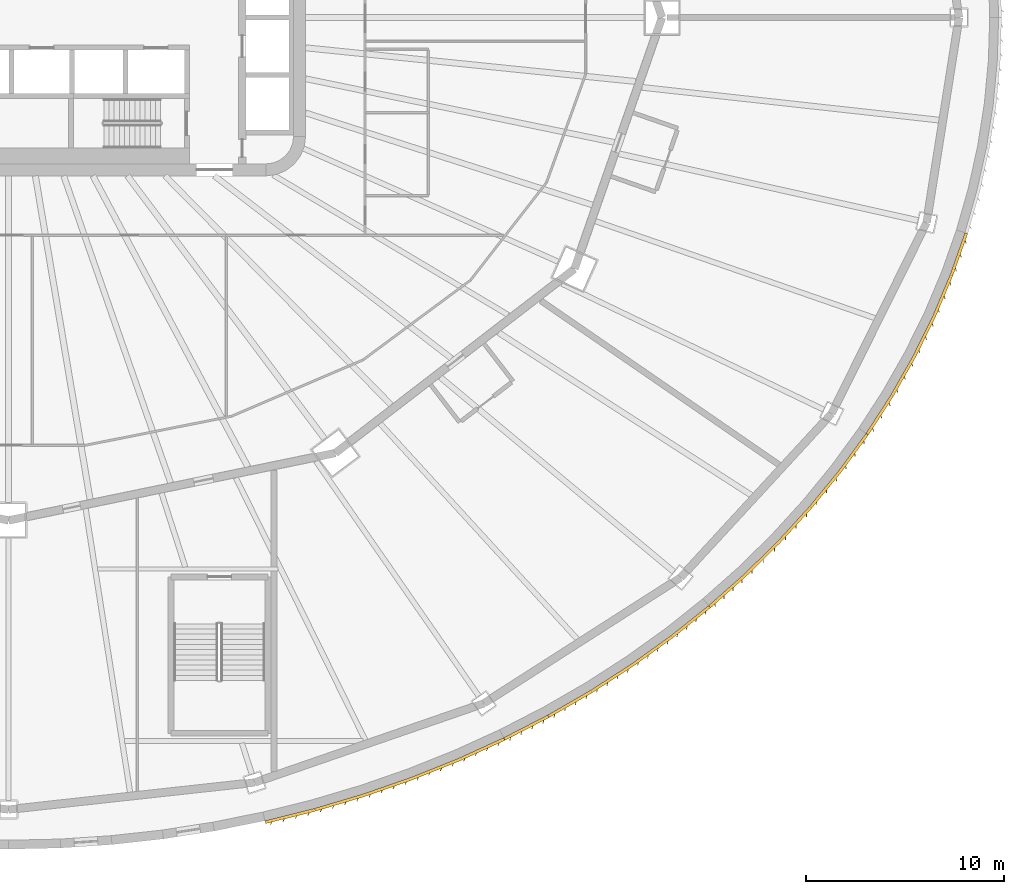
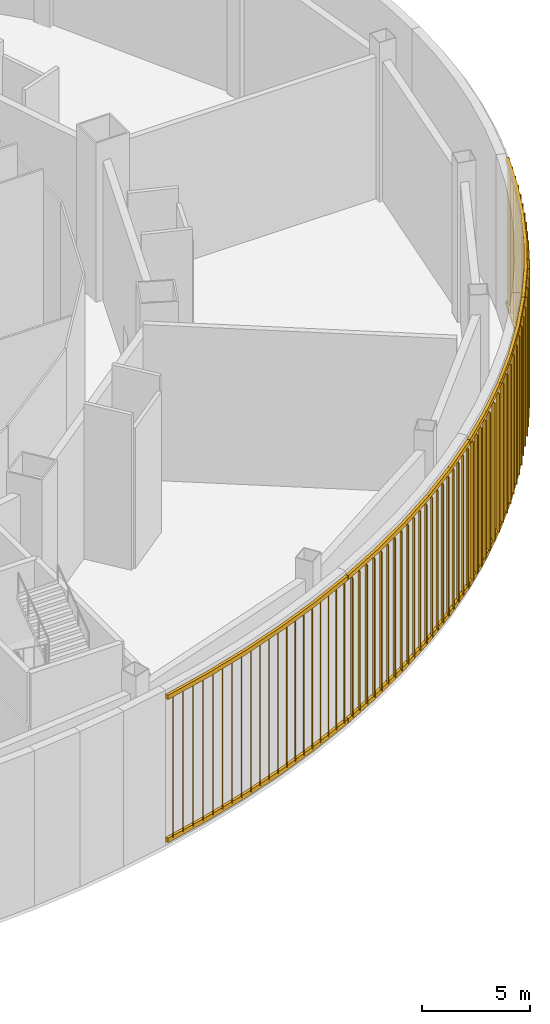
# One storey, part 31 of 35: 4 shading devices.
"""IFC4 building model written with IfcOpenShell, lengths in metres."""

import ifcopenshell
import ifcopenshell.guid

model = None  # the IFC model being written
_history = None  # IfcOwnerHistory: only IFC2X3 demands one
_inside = {}  # id of a spatial element -> (the spatial element, [elements in it])
_under = {}  # id of a project, library or spatial element -> (it, [spatial elements below it])
_declared = {}  # id of a project -> (the project, [libraries it declares])
_typed = {}  # id of a type object -> (the type object, [elements of that type])
_made_of = {}  # id of a material, layer set ... -> (it, [elements and type objects made of it])


def new_model(schema):
    """Start an empty IFC model of exactly this schema.

    Asked for "IFC4X3", IfcOpenShell would pick the latest addendum, in which some entities
    have other attributes; the version numbers below select the first issue.
    IFC2X3 requires an IfcOwnerHistory on every rooted entity: one is made here for all.
    """
    global model, _history
    if schema == "IFC4X3":
        model = ifcopenshell.file(schema_version=(4, 3, 0, 0))
    else:
        model = ifcopenshell.file(schema=schema)
    _inside.clear()
    _under.clear()
    _declared.clear()
    _typed.clear()
    _made_of.clear()
    _history = None
    if model.schema == "IFC2X3":
        org = make("IfcOrganization", Name="unknown")
        user = make(
            "IfcPersonAndOrganization",
            ThePerson=make("IfcPerson", FamilyName="unknown"),
            TheOrganization=org,
        )
        app = make(
            "IfcApplication",
            ApplicationDeveloper=org,
            Version="unknown",
            ApplicationFullName="unknown",
            ApplicationIdentifier="unknown",
        )
        _history = make(
            "IfcOwnerHistory",
            OwningUser=user,
            OwningApplication=app,
            ChangeAction="ADDED",
            CreationDate=0,
        )
    return model


def make(cls, **values):
    """One entity of the class cls with the attributes given. An attribute that is None is left unset."""
    return model.create_entity(
        cls, **{name: value for name, value in values.items() if value is not None}
    )


def rooted(cls, **values):
    """An entity with a GlobalId (a new one), such as an element, a storey or a relation."""
    return make(cls, GlobalId=ifcopenshell.guid.new(), OwnerHistory=_history, **values)


def si_unit(unit_type, name, prefix=None):
    """IfcSIUnit, for example si_unit("LENGTHUNIT", "METRE", prefix="MILLI")."""
    return make("IfcSIUnit", UnitType=unit_type, Prefix=prefix, Name=name)


def assignment(units):
    """IfcUnitAssignment: the units of a project."""
    return None if units is None else make("IfcUnitAssignment", Units=units)


def point(xyz):
    """IfcCartesianPoint."""
    return None if xyz is None else make("IfcCartesianPoint", Coordinates=xyz)


def direction(xyz):
    """IfcDirection."""
    return None if xyz is None else make("IfcDirection", DirectionRatios=xyz)


def frame(location, z_axis=None, x_axis=None):
    """IfcAxis2Placement3D, a coordinate frame: its origin and axes. An axis left out is left unset."""
    return make(
        "IfcAxis2Placement3D",
        Location=point(location),
        Axis=direction(z_axis),
        RefDirection=direction(x_axis),
    )


def frame_2d(location, x_axis=None):
    """IfcAxis2Placement2D, a coordinate frame in the plane: its origin and x axis."""
    return make(
        "IfcAxis2Placement2D", Location=point(location), RefDirection=direction(x_axis)
    )


def origin():
    """The frame at (0, 0, 0) with its axes left unset."""
    return frame((0.0, 0.0, 0.0))


def origin_2d():
    """The frame at (0, 0) in the plane with its x axis left unset."""
    return frame_2d((0.0, 0.0))


def place(relative_to, where):
    """IfcLocalPlacement: puts the frame where relative to a parent placement (None: the world)."""
    return make(
        "IfcLocalPlacement", PlacementRelTo=relative_to, RelativePlacement=where
    )


def context(
    kind, dimensions, precision=None, world=None, true_north=None, identifier=None
):
    """IfcGeometricRepresentationContext, for example the 3D "Model" context."""
    return make(
        "IfcGeometricRepresentationContext",
        ContextIdentifier=identifier,
        ContextType=kind,
        CoordinateSpaceDimension=dimensions,
        Precision=precision,
        WorldCoordinateSystem=world,
        TrueNorth=true_north,
    )


def subcontext(parent, identifier, kind, view, scale=None):
    """IfcGeometricRepresentationSubContext, for example "Body" below "Model"."""
    return make(
        "IfcGeometricRepresentationSubContext",
        ContextIdentifier=identifier,
        ContextType=kind,
        ParentContext=parent,
        TargetScale=scale,
        TargetView=view,
    )


def project(units=None, contexts=None):
    """IfcProject with its units and contexts."""
    return rooted(
        "IfcProject",
        Name="project",
        RepresentationContexts=contexts,
        UnitsInContext=assignment(units),
    )


def spatial(cls, under=None, at=None, **own):
    """A site, building, storey or space (cls), placed at a placement, below another one or the project."""
    s = rooted(cls, ObjectPlacement=at, **own)
    if under is not None:
        _under.setdefault(under.id(), (under, []))[1].append(s)
    return s


def profile(cls, at=None, kind="AREA", **sizes):
    """A parametric profile (cls). Its sizes go by their IFC names, for example OverallWidth=200.0."""
    return make(cls, ProfileType=kind, Position=at, **sizes)


def rectangle(**sizes):
    """IfcRectangleProfileDef."""
    return profile("IfcRectangleProfileDef", **sizes)


def extrude(swept, where, along, depth):
    """IfcExtrudedAreaSolid: the profile swept, set in the frame where, extruded along a direction by depth."""
    return make(
        "IfcExtrudedAreaSolid",
        SweptArea=swept,
        Position=where,
        ExtrudedDirection=direction(along),
        Depth=depth,
    )


def shape(context_of_items, identifier, shape_type, items):
    """IfcShapeRepresentation: the items that make up one representation, for example the "Body"."""
    return make(
        "IfcShapeRepresentation",
        ContextOfItems=context_of_items,
        RepresentationIdentifier=identifier,
        RepresentationType=shape_type,
        Items=items,
    )


def material(Name=None, Category=None):
    """IfcMaterial."""
    return make("IfcMaterial", Name=Name, Category=Category)


def made_of(thing, what):
    """Note that an element or type object is made of a material, layer set ...; save() writes the relation."""
    if what is not None:
        _made_of.setdefault(what.id(), (what, []))[1].append(thing)
    return thing


def type_object(cls, material=None, **own):
    """A type object (cls), such as IfcWallType, which elements share."""
    return made_of(rooted(cls, **own), material)


def element(
    cls,
    number,
    at=None,
    inside=None,
    cuts=None,
    type_object=None,
    material=None,
    context=None,
    identifier="Body",
    shape_type=None,
    held_by="IfcProductDefinitionShape",
    body=None,
    shapes=None,
    **own,
):
    """One element of the class cls, such as IfcWall. Its Tag is "e" and its number.

    at: its placement. inside: the storey or other place that contains it. cuts: it is an
    opening in that element (IfcRelVoidsElement). A single representation is given by context,
    identifier, shape_type and body (its items); several are given by shapes. held_by: the class
    of the entity that holds the representations. save() writes the other relations.
    """
    e = rooted(cls, Tag="e%d" % number, ObjectPlacement=at, **own)
    if body is not None:
        shapes = [shape(context, identifier, shape_type, body)]
    if shapes is not None:
        e.Representation = make(held_by, Representations=shapes)
    if inside is not None:
        _inside.setdefault(inside.id(), (inside, []))[1].append(e)
    if cuts is not None:
        rooted(
            "IfcRelVoidsElement", RelatingBuildingElement=cuts, RelatedOpeningElement=e
        )
    if type_object is not None:
        _typed.setdefault(type_object.id(), (type_object, []))[1].append(e)
    return made_of(e, material)


def aggregate(whole, parts):
    """IfcRelAggregates: a whole, such as a stair, and the parts it consists of."""
    return rooted("IfcRelAggregates", RelatingObject=whole, RelatedObjects=parts)


def save(model, path):
    """Write the relations noted so far, then the file.

    IfcRelAggregates (storeys below a building ...), IfcRelContainedInSpatialStructure (elements
    in a storey), IfcRelDefinesByType, IfcRelAssociatesMaterial and IfcRelDeclares: one each for
    every whole, place, type object, material and project.
    """
    for whole, parts in _under.values():
        aggregate(whole, parts)
    for where, things in _inside.values():
        rooted(
            "IfcRelContainedInSpatialStructure",
            RelatedElements=things,
            RelatingStructure=where,
        )
    for kind, things in _typed.values():
        rooted("IfcRelDefinesByType", RelatedObjects=things, RelatingType=kind)
    for what, things in _made_of.values():
        rooted("IfcRelAssociatesMaterial", RelatedObjects=things, RelatingMaterial=what)
    for by, libraries in _declared.values():
        rooted("IfcRelDeclares", RelatingContext=by, RelatedDefinitions=libraries)
    model.write(path)


model = new_model("IFC4")

# Units and contexts
model_context = context("Model", 3, precision=1e-05, world=origin(), true_north=direction((0.0, 1.0)))
body_context = subcontext(model_context, "Body", "Model", "MODEL_VIEW")
ifc_project = project(units=[si_unit("LENGTHUNIT", "METRE"), si_unit("AREAUNIT", "SQUARE_METRE"), si_unit("VOLUMEUNIT", "CUBIC_METRE"), si_unit("PLANEANGLEUNIT", "RADIAN"), si_unit("MASSUNIT", "GRAM", prefix="KILO")], contexts=[model_context])

# Site, building, storey
site_placement = place(None, origin())
site = spatial("IfcSite", under=ifc_project, at=site_placement, CompositionType="ELEMENT")
building_placement = place(site_placement, origin())
building = spatial("IfcBuilding", under=site, at=building_placement, Name="Sahrelin Media Tower", CompositionType="ELEMENT")
storey_placement = place(building_placement, frame((0.0, 0.0, 17.0)))
storey = spatial("IfcBuildingStorey", under=building, at=storey_placement, Name="L02", CompositionType="ELEMENT", Elevation=17.0)

# Shading devices
ifc_material = material(Name="Champagne anodised aluminium 6063-T6", Category="aluminium")
shading_device_type = type_object("IfcShadingDeviceType", Name="Studio facade screen", PredefinedType="USERDEFINED", material=ifc_material)
shading_device_1_placement = place(storey_placement, frame((12.94091796875, -40.56884765625, 0.0), z_axis=(0.0, 0.0, 1.0), x_axis=(-0.944472511528, -0.328590436515, 0.0)))
element("IfcShadingDevice", 1, at=shading_device_1_placement, inside=storey, type_object=shading_device_type, Name="L02:SCREEN:L02-P19", ObjectType="SCREEN", PredefinedType="USERDEFINED", context=body_context, shape_type="SweptSolid", body=[
    extrude(rectangle(XDim=0.14990234375, YDim=0.25, at=origin_2d()), frame((0.0068359375, 0.07470703125, 0.35009765625), z_axis=(-0.995868409854, 0.090808095761, 0.0), x_axis=(-0.090808095761, -0.995868409854, 0.0)), (0.0, 0.0, 1.0), 2.58642578125),
    extrude(rectangle(XDim=0.14990234375, YDim=0.25, at=origin_2d()), frame((0.0068359375, 0.07470703125, 8.449951171875), z_axis=(-0.995868409854, 0.090808095761, 0.0), x_axis=(-0.090808095761, -0.995868409854, 0.0)), (0.0, 0.0, 1.0), 2.58642578125),
    extrude(rectangle(XDim=0.300048828125, YDim=0.0400390625, at=origin_2d()), frame((-0.308349609375, 0.1787109375, 0.47509765625), z_axis=(0.0, 0.0, 1.0), x_axis=(0.707106781187, 0.707106781187, 0.0)), (0.0, 0.0, 1.0), 7.849853515625),
    extrude(rectangle(XDim=0.300048828125, YDim=0.0400390625, at=origin_2d()), frame((-0.9521484375, 0.237548828125, 0.47509765625), z_axis=(0.0, 0.0, 1.0), x_axis=(0.707106781187, 0.707106781187, 0.0)), (0.0, 0.0, 1.0), 7.849853515625),
    extrude(rectangle(XDim=0.300048828125, YDim=0.0400390625, at=origin_2d()), frame((-1.59619140625, 0.296142578125, 0.47509765625), z_axis=(0.0, 0.0, 1.0), x_axis=(0.707106781187, 0.707106781187, 0.0)), (0.0, 0.0, 1.0), 7.849853515625),
    extrude(rectangle(XDim=0.300048828125, YDim=0.0400390625, at=origin_2d()), frame((-2.239990234375, 0.35498046875, 0.47509765625), z_axis=(0.0, 0.0, 1.0), x_axis=(0.707106781187, 0.707106781187, 0.0)), (0.0, 0.0, 1.0), 7.849853515625),
    extrude(rectangle(XDim=0.14990234375, YDim=0.25, at=origin_2d()), frame((-2.572265625, 0.309814453125, 0.35009765625), z_axis=(-0.998954807811, 0.045708773245, 0.0), x_axis=(-0.045708773245, -0.998954807811, 0.0)), (0.0, 0.0, 1.0), 2.574462890625),
    extrude(rectangle(XDim=0.14990234375, YDim=0.25, at=origin_2d()), frame((-2.572265625, 0.309814453125, 8.449951171875), z_axis=(-0.998954807811, 0.045708773245, 0.0), x_axis=(-0.045708773245, -0.998954807811, 0.0)), (0.0, 0.0, 1.0), 2.574462890625),
    extrude(rectangle(XDim=0.300048828125, YDim=0.0400390625, at=origin_2d()), frame((-2.890380859375, 0.3994140625, 0.47509765625), z_axis=(0.0, 0.0, 1.0), x_axis=(0.707106781187, 0.707106781187, 0.0)), (0.0, 0.0, 1.0), 7.849853515625),
    extrude(rectangle(XDim=0.300048828125, YDim=0.0400390625, at=origin_2d()), frame((-3.533203125, 0.428955078125, 0.47509765625), z_axis=(0.0, 0.0, 1.0), x_axis=(0.707106781187, 0.707106781187, 0.0)), (0.0, 0.0, 1.0), 7.849853515625),
    extrude(rectangle(XDim=0.300048828125, YDim=0.0400390625, at=origin_2d()), frame((-4.176025390625, 0.458251953125, 0.47509765625), z_axis=(0.0, 0.0, 1.0), x_axis=(0.707106781187, 0.707106781187, 0.0)), (0.0, 0.0, 1.0), 7.849853515625),
    extrude(rectangle(XDim=0.300048828125, YDim=0.0400390625, at=origin_2d()), frame((-4.819091796875, 0.48779296875, 0.47509765625), z_axis=(0.0, 0.0, 1.0), x_axis=(0.707106781187, 0.707106781187, 0.0)), (0.0, 0.0, 1.0), 7.849853515625),
    extrude(rectangle(XDim=0.14990234375, YDim=0.25, at=origin_2d()), frame((-5.1474609375, 0.427490234375, 0.35009765625), z_axis=(-1.0, 0.0, 0.0), x_axis=(0.0, -1.0, 0.0)), (0.0, 0.0, 1.0), 2.560546875),
    extrude(rectangle(XDim=0.14990234375, YDim=0.25, at=origin_2d()), frame((-5.1474609375, 0.427490234375, 8.449951171875), z_axis=(-1.0, 0.0, 0.0), x_axis=(0.0, -1.0, 0.0)), (0.0, 0.0, 1.0), 2.560546875),
    extrude(rectangle(XDim=0.300048828125, YDim=0.0400390625, at=origin_2d()), frame((-5.467529296875, 0.502685546875, 0.47509765625), z_axis=(0.0, 0.0, 1.0), x_axis=(0.707106781187, 0.707106781187, 0.0)), (0.0, 0.0, 1.0), 7.849853515625),
    extrude(rectangle(XDim=0.300048828125, YDim=0.0400390625, at=origin_2d()), frame((-6.107666015625, 0.502685546875, 0.47509765625), z_axis=(0.0, 0.0, 1.0), x_axis=(0.707106781187, 0.707106781187, 0.0)), (0.0, 0.0, 1.0), 7.849853515625),
    extrude(rectangle(XDim=0.300048828125, YDim=0.0400390625, at=origin_2d()), frame((-6.747802734375, 0.502685546875, 0.47509765625), z_axis=(0.0, 0.0, 1.0), x_axis=(0.707106781187, 0.707106781187, 0.0)), (0.0, 0.0, 1.0), 7.849853515625),
    extrude(rectangle(XDim=0.300048828125, YDim=0.0400390625, at=origin_2d()), frame((-7.387939453125, 0.502685546875, 0.47509765625), z_axis=(0.0, 0.0, 1.0), x_axis=(0.707106781187, 0.707106781187, 0.0)), (0.0, 0.0, 1.0), 7.849853515625),
    extrude(rectangle(XDim=0.14990234375, YDim=0.25, at=origin_2d()), frame((-7.71142578125, 0.427490234375, 0.35009765625), z_axis=(-0.998930620484, -0.046234353666, 0.0), x_axis=(0.046234353666, -0.998930620484, 0.0)), (0.0, 0.0, 1.0), 2.545166015625),
    extrude(rectangle(XDim=0.14990234375, YDim=0.25, at=origin_2d()), frame((-7.71142578125, 0.427490234375, 8.449951171875), z_axis=(-0.998930620484, -0.046234353666, 0.0), x_axis=(0.046234353666, -0.998930620484, 0.0)), (0.0, 0.0, 1.0), 2.545166015625),
    extrude(rectangle(XDim=0.300048828125, YDim=0.0400390625, at=origin_2d()), frame((-8.03271484375, 0.48779296875, 0.47509765625), z_axis=(0.0, 0.0, 1.0), x_axis=(0.707106781187, 0.707106781187, 0.0)), (0.0, 0.0, 1.0), 7.849853515625),
    extrude(rectangle(XDim=0.300048828125, YDim=0.0400390625, at=origin_2d()), frame((-8.66845703125, 0.458251953125, 0.47509765625), z_axis=(0.0, 0.0, 1.0), x_axis=(0.707106781187, 0.707106781187, 0.0)), (0.0, 0.0, 1.0), 7.849853515625),
    extrude(rectangle(XDim=0.300048828125, YDim=0.0400390625, at=origin_2d()), frame((-9.303955078125, 0.428955078125, 0.47509765625), z_axis=(0.0, 0.0, 1.0), x_axis=(0.707106781187, 0.707106781187, 0.0)), (0.0, 0.0, 1.0), 7.849853515625),
    extrude(rectangle(XDim=0.300048828125, YDim=0.0400390625, at=origin_2d()), frame((-9.939697265625, 0.3994140625, 0.47509765625), z_axis=(0.0, 0.0, 1.0), x_axis=(0.707106781187, 0.707106781187, 0.0)), (0.0, 0.0, 1.0), 7.849853515625),
    extrude(rectangle(XDim=0.14990234375, YDim=0.25, at=origin_2d()), frame((-10.257568359375, 0.3095703125, 0.35009765625), z_axis=(-0.995676744861, -0.092886057851, 0.0), x_axis=(0.092886057851, -0.995676744861, 0.0)), (0.0, 0.0, 1.0), 2.528564453125),
    extrude(rectangle(XDim=0.14990234375, YDim=0.25, at=origin_2d()), frame((-10.257568359375, 0.3095703125, 8.449951171875), z_axis=(-0.995676744861, -0.092886057851, 0.0), x_axis=(0.092886057851, -0.995676744861, 0.0)), (0.0, 0.0, 1.0), 2.528564453125),
    extrude(rectangle(XDim=0.300048828125, YDim=0.0400390625, at=origin_2d()), frame((-10.5791015625, 0.35498046875, 0.47509765625), z_axis=(0.0, 0.0, 1.0), x_axis=(0.707106781187, 0.707106781187, 0.0)), (0.0, 0.0, 1.0), 7.849853515625),
    extrude(rectangle(XDim=0.300048828125, YDim=0.0400390625, at=origin_2d()), frame((-11.20849609375, 0.296142578125, 0.47509765625), z_axis=(0.0, 0.0, 1.0), x_axis=(0.707106781187, 0.707106781187, 0.0)), (0.0, 0.0, 1.0), 7.849853515625),
    extrude(rectangle(XDim=0.300048828125, YDim=0.0400390625, at=origin_2d()), frame((-11.837890625, 0.237548828125, 0.47509765625), z_axis=(0.0, 0.0, 1.0), x_axis=(0.707106781187, 0.707106781187, 0.0)), (0.0, 0.0, 1.0), 7.849853515625),
    extrude(rectangle(XDim=0.300048828125, YDim=0.0400390625, at=origin_2d()), frame((-12.46728515625, 0.1787109375, 0.47509765625), z_axis=(0.0, 0.0, 1.0), x_axis=(0.707106781187, 0.707106781187, 0.0)), (0.0, 0.0, 1.0), 7.849853515625),
])
shading_device_2_placement = place(storey_placement, frame((25.0, -36.373046875, 0.0), z_axis=(0.0, 0.0, 1.0), x_axis=(-0.840505257377, -0.541803388991, 0.0)))
element("IfcShadingDevice", 2, at=shading_device_2_placement, inside=storey, type_object=shading_device_type, Name="L02:SCREEN:L02-P20", ObjectType="SCREEN", PredefinedType="USERDEFINED", context=body_context, shape_type="SweptSolid", body=[
    extrude(rectangle(XDim=0.14990234375, YDim=0.25, at=origin_2d()), frame((0.00732421875, 0.07470703125, 0.35009765625), z_axis=(-0.995288149156, 0.096961333272, 0.0), x_axis=(-0.096961333272, -0.995288149156, 0.0)), (0.0, 0.0, 1.0), 2.51025390625),
    extrude(rectangle(XDim=0.14990234375, YDim=0.25, at=origin_2d()), frame((0.00732421875, 0.07470703125, 8.449951171875), z_axis=(-0.995288149156, 0.096961333272, 0.0), x_axis=(-0.096961333272, -0.995288149156, 0.0)), (0.0, 0.0, 1.0), 2.51025390625),
    extrude(rectangle(XDim=0.300048828125, YDim=0.0400390625, at=origin_2d()), frame((-0.2978515625, 0.1796875, 0.47509765625), z_axis=(0.0, 0.0, 1.0), x_axis=(0.707106781187, 0.707106781187, 0.0)), (0.0, 0.0, 1.0), 7.849853515625),
    extrude(rectangle(XDim=0.300048828125, YDim=0.0400390625, at=origin_2d()), frame((-0.92236328125, 0.240478515625, 0.47509765625), z_axis=(0.0, 0.0, 1.0), x_axis=(0.707106781187, 0.707106781187, 0.0)), (0.0, 0.0, 1.0), 7.849853515625),
    extrude(rectangle(XDim=0.300048828125, YDim=0.0400390625, at=origin_2d()), frame((-1.547119140625, 0.301513671875, 0.47509765625), z_axis=(0.0, 0.0, 1.0), x_axis=(0.707106781187, 0.707106781187, 0.0)), (0.0, 0.0, 1.0), 7.849853515625),
    extrude(rectangle(XDim=0.300048828125, YDim=0.0400390625, at=origin_2d()), frame((-2.171630859375, 0.3623046875, 0.47509765625), z_axis=(0.0, 0.0, 1.0), x_axis=(0.707106781187, 0.707106781187, 0.0)), (0.0, 0.0, 1.0), 7.849853515625),
    extrude(rectangle(XDim=0.14990234375, YDim=0.25, at=origin_2d()), frame((-2.494873046875, 0.318603515625, 0.35009765625), z_axis=(-0.99880815952, 0.048808405793, 0.0), x_axis=(-0.048808405793, -0.99880815952, 0.0)), (0.0, 0.0, 1.0), 2.490966796875),
    extrude(rectangle(XDim=0.14990234375, YDim=0.25, at=origin_2d()), frame((-2.494873046875, 0.318603515625, 8.449951171875), z_axis=(-0.99880815952, 0.048808405793, 0.0), x_axis=(-0.048808405793, -0.99880815952, 0.0)), (0.0, 0.0, 1.0), 2.490966796875),
    extrude(rectangle(XDim=0.300048828125, YDim=0.0400390625, at=origin_2d()), frame((-2.80224609375, 0.40869140625, 0.47509765625), z_axis=(0.0, 0.0, 1.0), x_axis=(0.707106781187, 0.707106781187, 0.0)), (0.0, 0.0, 1.0), 7.849853515625),
    extrude(rectangle(XDim=0.300048828125, YDim=0.0400390625, at=origin_2d()), frame((-3.42431640625, 0.439208984375, 0.47509765625), z_axis=(0.0, 0.0, 1.0), x_axis=(0.707106781187, 0.707106781187, 0.0)), (0.0, 0.0, 1.0), 7.849853515625),
    extrude(rectangle(XDim=0.300048828125, YDim=0.0400390625, at=origin_2d()), frame((-4.046142578125, 0.469482421875, 0.47509765625), z_axis=(0.0, 0.0, 1.0), x_axis=(0.707106781187, 0.707106781187, 0.0)), (0.0, 0.0, 1.0), 7.849853515625),
    extrude(rectangle(XDim=0.300048828125, YDim=0.0400390625, at=origin_2d()), frame((-4.668212890625, 0.5, 0.47509765625), z_axis=(0.0, 0.0, 1.0), x_axis=(0.707106781187, 0.707106781187, 0.0)), (0.0, 0.0, 1.0), 7.849853515625),
    extrude(rectangle(XDim=0.14990234375, YDim=0.25, at=origin_2d()), frame((-4.986572265625, 0.4404296875, 0.35009765625), z_axis=(-1.0, 0.0, 0.0), x_axis=(0.0, -1.0, 0.0)), (0.0, 0.0, 1.0), 2.470703125),
    extrude(rectangle(XDim=0.14990234375, YDim=0.25, at=origin_2d()), frame((-4.986572265625, 0.4404296875, 8.449951171875), z_axis=(-1.0, 0.0, 0.0), x_axis=(0.0, -1.0, 0.0)), (0.0, 0.0, 1.0), 2.470703125),
    extrude(rectangle(XDim=0.300048828125, YDim=0.0400390625, at=origin_2d()), frame((-5.29541015625, 0.515380859375, 0.47509765625), z_axis=(0.0, 0.0, 1.0), x_axis=(0.707106781187, 0.707106781187, 0.0)), (0.0, 0.0, 1.0), 7.849853515625),
    extrude(rectangle(XDim=0.300048828125, YDim=0.0400390625, at=origin_2d()), frame((-5.9130859375, 0.515380859375, 0.47509765625), z_axis=(0.0, 0.0, 1.0), x_axis=(0.707106781187, 0.707106781187, 0.0)), (0.0, 0.0, 1.0), 7.849853515625),
    extrude(rectangle(XDim=0.300048828125, YDim=0.0400390625, at=origin_2d()), frame((-6.53076171875, 0.515380859375, 0.47509765625), z_axis=(0.0, 0.0, 1.0), x_axis=(0.707106781187, 0.707106781187, 0.0)), (0.0, 0.0, 1.0), 7.849853515625),
    extrude(rectangle(XDim=0.300048828125, YDim=0.0400390625, at=origin_2d()), frame((-7.1484375, 0.515380859375, 0.47509765625), z_axis=(0.0, 0.0, 1.0), x_axis=(0.707106781187, 0.707106781187, 0.0)), (0.0, 0.0, 1.0), 7.849853515625),
    extrude(rectangle(XDim=0.14990234375, YDim=0.25, at=origin_2d()), frame((-7.4609375, 0.440185546875, 0.35009765625), z_axis=(-0.998762754954, -0.049728857985, 0.0), x_axis=(0.049728857985, -0.998762754954, 0.0)), (0.0, 0.0, 1.0), 2.44970703125),
    extrude(rectangle(XDim=0.14990234375, YDim=0.25, at=origin_2d()), frame((-7.4609375, 0.440185546875, 8.449951171875), z_axis=(-0.998762754954, -0.049728857985, 0.0), x_axis=(0.049728857985, -0.998762754954, 0.0)), (0.0, 0.0, 1.0), 2.44970703125),
    extrude(rectangle(XDim=0.300048828125, YDim=0.0400390625, at=origin_2d()), frame((-7.7705078125, 0.5, 0.47509765625), z_axis=(0.0, 0.0, 1.0), x_axis=(0.707106781187, 0.707106781187, 0.0)), (0.0, 0.0, 1.0), 7.849853515625),
    extrude(rectangle(XDim=0.300048828125, YDim=0.0400390625, at=origin_2d()), frame((-8.38232421875, 0.469482421875, 0.47509765625), z_axis=(0.0, 0.0, 1.0), x_axis=(0.707106781187, 0.707106781187, 0.0)), (0.0, 0.0, 1.0), 7.849853515625),
    extrude(rectangle(XDim=0.300048828125, YDim=0.0400390625, at=origin_2d()), frame((-8.993896484375, 0.43896484375, 0.47509765625), z_axis=(0.0, 0.0, 1.0), x_axis=(0.707106781187, 0.707106781187, 0.0)), (0.0, 0.0, 1.0), 7.849853515625),
    extrude(rectangle(XDim=0.300048828125, YDim=0.0400390625, at=origin_2d()), frame((-9.605712890625, 0.40869140625, 0.47509765625), z_axis=(0.0, 0.0, 1.0), x_axis=(0.707106781187, 0.707106781187, 0.0)), (0.0, 0.0, 1.0), 7.849853515625),
    extrude(rectangle(XDim=0.14990234375, YDim=0.25, at=origin_2d()), frame((-9.91162109375, 0.318115234375, 0.35009765625), z_axis=(-0.994962242717, -0.100250364425, 0.0), x_axis=(0.100250364425, -0.994962242717, 0.0)), (0.0, 0.0, 1.0), 2.427978515625),
    extrude(rectangle(XDim=0.14990234375, YDim=0.25, at=origin_2d()), frame((-9.91162109375, 0.318115234375, 8.449951171875), z_axis=(-0.994962242717, -0.100250364425, 0.0), x_axis=(0.100250364425, -0.994962242717, 0.0)), (0.0, 0.0, 1.0), 2.427978515625),
    extrude(rectangle(XDim=0.300048828125, YDim=0.0400390625, at=origin_2d()), frame((-10.220947265625, 0.3623046875, 0.47509765625), z_axis=(0.0, 0.0, 1.0), x_axis=(0.707106781187, 0.707106781187, 0.0)), (0.0, 0.0, 1.0), 7.849853515625),
    extrude(rectangle(XDim=0.300048828125, YDim=0.0400390625, at=origin_2d()), frame((-10.824951171875, 0.301513671875, 0.47509765625), z_axis=(0.0, 0.0, 1.0), x_axis=(0.707106781187, 0.707106781187, 0.0)), (0.0, 0.0, 1.0), 7.849853515625),
    extrude(rectangle(XDim=0.300048828125, YDim=0.0400390625, at=origin_2d()), frame((-11.428955078125, 0.240478515625, 0.47509765625), z_axis=(0.0, 0.0, 1.0), x_axis=(0.707106781187, 0.707106781187, 0.0)), (0.0, 0.0, 1.0), 7.849853515625),
    extrude(rectangle(XDim=0.300048828125, YDim=0.0400390625, at=origin_2d()), frame((-12.032958984375, 0.1796875, 0.47509765625), z_axis=(0.0, 0.0, 1.0), x_axis=(0.707106781187, 0.707106781187, 0.0)), (0.0, 0.0, 1.0), 7.849853515625),
])
shading_device_3_placement = place(storey_placement, frame((35.355224609375, -29.698486328125, 0.0), z_axis=(0.0, 0.0, 1.0), x_axis=(-0.674432963717, -0.738336087058, 0.0)))
element("IfcShadingDevice", 3, at=shading_device_3_placement, inside=storey, type_object=shading_device_type, Name="L02:SCREEN:L02-P21", ObjectType="SCREEN", PredefinedType="USERDEFINED", context=body_context, shape_type="SweptSolid", body=[
    extrude(rectangle(XDim=0.14990234375, YDim=0.25, at=origin_2d()), frame((0.0078125, 0.07470703125, 0.35009765625), z_axis=(-0.994395950407, 0.105719883718, 0.0), x_axis=(-0.105719883718, -0.994395950407, 0.0)), (0.0, 0.0, 1.0), 2.40625),
    extrude(rectangle(XDim=0.14990234375, YDim=0.25, at=origin_2d()), frame((0.0078125, 0.07470703125, 8.449951171875), z_axis=(-0.994395950407, 0.105719883718, 0.0), x_axis=(-0.105719883718, -0.994395950407, 0.0)), (0.0, 0.0, 1.0), 2.40625),
    extrude(rectangle(XDim=0.300048828125, YDim=0.0400390625, at=origin_2d()), frame((-0.283203125, 0.180908203125, 0.47509765625), z_axis=(0.0, 0.0, 1.0), x_axis=(0.707106781187, 0.707106781187, 0.0)), (0.0, 0.0, 1.0), 7.849853515625),
    extrude(rectangle(XDim=0.300048828125, YDim=0.0400390625, at=origin_2d()), frame((-0.881591796875, 0.24462890625, 0.47509765625), z_axis=(0.0, 0.0, 1.0), x_axis=(0.707106781187, 0.707106781187, 0.0)), (0.0, 0.0, 1.0), 7.849853515625),
    extrude(rectangle(XDim=0.300048828125, YDim=0.0400390625, at=origin_2d()), frame((-1.479736328125, 0.308349609375, 0.47509765625), z_axis=(0.0, 0.0, 1.0), x_axis=(0.707106781187, 0.707106781187, 0.0)), (0.0, 0.0, 1.0), 7.849853515625),
    extrude(rectangle(XDim=0.300048828125, YDim=0.0400390625, at=origin_2d()), frame((-2.077880859375, 0.3720703125, 0.47509765625), z_axis=(0.0, 0.0, 1.0), x_axis=(0.707106781187, 0.707106781187, 0.0)), (0.0, 0.0, 1.0), 7.849853515625),
    extrude(rectangle(XDim=0.14990234375, YDim=0.25, at=origin_2d()), frame((-2.388916015625, 0.32958984375, 0.35009765625), z_axis=(-0.998570768026, 0.053445497889, 0.0), x_axis=(-0.053445497889, -0.998570768026, 0.0)), (0.0, 0.0, 1.0), 2.384521484375),
    extrude(rectangle(XDim=0.14990234375, YDim=0.25, at=origin_2d()), frame((-2.388916015625, 0.32958984375, 8.449951171875), z_axis=(-0.998570768026, 0.053445497889, 0.0), x_axis=(-0.053445497889, -0.998570768026, 0.0)), (0.0, 0.0, 1.0), 2.384521484375),
    extrude(rectangle(XDim=0.300048828125, YDim=0.0400390625, at=origin_2d()), frame((-2.78173828125, 0.42578125, 0.47509765625), z_axis=(0.0, 0.0, 1.0), x_axis=(0.707106781187, 0.707106781187, 0.0)), (0.0, 0.0, 1.0), 7.849853515625),
    extrude(rectangle(XDim=0.300048828125, YDim=0.0400390625, at=origin_2d()), frame((-3.575439453125, 0.46826171875, 0.47509765625), z_axis=(0.0, 0.0, 1.0), x_axis=(0.707106781187, 0.707106781187, 0.0)), (0.0, 0.0, 1.0), 7.849853515625),
    extrude(rectangle(XDim=0.300048828125, YDim=0.0400390625, at=origin_2d()), frame((-4.369140625, 0.5107421875, 0.47509765625), z_axis=(0.0, 0.0, 1.0), x_axis=(0.707106781187, 0.707106781187, 0.0)), (0.0, 0.0, 1.0), 7.849853515625),
    extrude(rectangle(XDim=0.14990234375, YDim=0.25, at=origin_2d()), frame((-4.77392578125, 0.457275390625, 0.35009765625), z_axis=(-0.999999994662, -0.000103327133, 0.0), x_axis=(0.000103327133, -0.999999994662, 0.0)), (0.0, 0.0, 1.0), 2.36279296875),
    extrude(rectangle(XDim=0.14990234375, YDim=0.25, at=origin_2d()), frame((-4.77392578125, 0.457275390625, 8.449951171875), z_axis=(-0.999999994662, -0.000103327133, 0.0), x_axis=(0.000103327133, -0.999999994662, 0.0)), (0.0, 0.0, 1.0), 2.36279296875),
    extrude(rectangle(XDim=0.300048828125, YDim=0.0400390625, at=origin_2d()), frame((-5.167724609375, 0.5322265625, 0.47509765625), z_axis=(0.0, 0.0, 1.0), x_axis=(0.707106781187, 0.707106781187, 0.0)), (0.0, 0.0, 1.0), 7.849853515625),
    extrude(rectangle(XDim=0.300048828125, YDim=0.0400390625, at=origin_2d()), frame((-5.955322265625, 0.531982421875, 0.47509765625), z_axis=(0.0, 0.0, 1.0), x_axis=(0.707106781187, 0.707106781187, 0.0)), (0.0, 0.0, 1.0), 7.849853515625),
    extrude(rectangle(XDim=0.300048828125, YDim=0.0400390625, at=origin_2d()), frame((-6.742919921875, 0.531982421875, 0.47509765625), z_axis=(0.0, 0.0, 1.0), x_axis=(0.707106781187, 0.707106781187, 0.0)), (0.0, 0.0, 1.0), 7.849853515625),
    extrude(rectangle(XDim=0.14990234375, YDim=0.25, at=origin_2d()), frame((-7.140869140625, 0.45703125, 0.35009765625), z_axis=(-0.998517563231, -0.054430468672, 0.0), x_axis=(0.054430468672, -0.998517563231, 0.0)), (0.0, 0.0, 1.0), 2.34130859375),
    extrude(rectangle(XDim=0.14990234375, YDim=0.25, at=origin_2d()), frame((-7.140869140625, 0.45703125, 8.449951171875), z_axis=(-0.998517563231, -0.054430468672, 0.0), x_axis=(0.054430468672, -0.998517563231, 0.0)), (0.0, 0.0, 1.0), 2.34130859375),
    extrude(rectangle(XDim=0.300048828125, YDim=0.0400390625, at=origin_2d()), frame((-7.53466796875, 0.510498046875, 0.47509765625), z_axis=(0.0, 0.0, 1.0), x_axis=(0.707106781187, 0.707106781187, 0.0)), (0.0, 0.0, 1.0), 7.849853515625),
    extrude(rectangle(XDim=0.300048828125, YDim=0.0400390625, at=origin_2d()), frame((-8.31396484375, 0.468017578125, 0.47509765625), z_axis=(0.0, 0.0, 1.0), x_axis=(0.707106781187, 0.707106781187, 0.0)), (0.0, 0.0, 1.0), 7.849853515625),
    extrude(rectangle(XDim=0.300048828125, YDim=0.0400390625, at=origin_2d()), frame((-9.09326171875, 0.425537109375, 0.47509765625), z_axis=(0.0, 0.0, 1.0), x_axis=(0.707106781187, 0.707106781187, 0.0)), (0.0, 0.0, 1.0), 7.849853515625),
    extrude(rectangle(XDim=0.14990234375, YDim=0.25, at=origin_2d()), frame((-9.48291015625, 0.3291015625, 0.35009765625), z_axis=(-0.993963012616, -0.109715675961, 0.0), x_axis=(0.109715675961, -0.993963012616, 0.0)), (0.0, 0.0, 1.0), 2.32080078125),
    extrude(rectangle(XDim=0.14990234375, YDim=0.25, at=origin_2d()), frame((-9.48291015625, 0.3291015625, 8.449951171875), z_axis=(-0.993963012616, -0.109715675961, 0.0), x_axis=(0.109715675961, -0.993963012616, 0.0)), (0.0, 0.0, 1.0), 2.32080078125),
    extrude(rectangle(XDim=0.300048828125, YDim=0.0400390625, at=origin_2d()), frame((-9.875732421875, 0.361083984375, 0.47509765625), z_axis=(0.0, 0.0, 1.0), x_axis=(0.707106781187, 0.707106781187, 0.0)), (0.0, 0.0, 1.0), 7.849853515625),
    extrude(rectangle(XDim=0.300048828125, YDim=0.0400390625, at=origin_2d()), frame((-10.64453125, 0.2763671875, 0.47509765625), z_axis=(0.0, 0.0, 1.0), x_axis=(0.707106781187, 0.707106781187, 0.0)), (0.0, 0.0, 1.0), 7.849853515625),
    extrude(rectangle(XDim=0.300048828125, YDim=0.0400390625, at=origin_2d()), frame((-11.41357421875, 0.19140625, 0.47509765625), z_axis=(0.0, 0.0, 1.0), x_axis=(0.707106781187, 0.707106781187, 0.0)), (0.0, 0.0, 1.0), 7.849853515625),
])
shading_device_4_placement = place(storey_placement, frame((43.30126953125, -21.0, 0.0), z_axis=(0.0, 0.0, 1.0), x_axis=(-0.44228697484, -0.896873587462, 0.0)))
element("IfcShadingDevice", 4, at=shading_device_4_placement, inside=storey, type_object=shading_device_type, Name="L02:SCREEN:L02-P22", ObjectType="SCREEN", PredefinedType="USERDEFINED", context=body_context, shape_type="SweptSolid", body=[
    extrude(rectangle(XDim=0.14990234375, YDim=0.25, at=origin_2d()), frame((0.0087890625, 0.074462890625, 0.35009765625), z_axis=(-0.993314738525, 0.115437559871, 0.0), x_axis=(-0.115437559871, -0.993314738525, 0.0)), (0.0, 0.0, 1.0), 2.301025390625),
    extrude(rectangle(XDim=0.14990234375, YDim=0.25, at=origin_2d()), frame((0.0087890625, 0.074462890625, 8.449951171875), z_axis=(-0.993314738525, 0.115437559871, 0.0), x_axis=(-0.115437559871, -0.993314738525, 0.0)), (0.0, 0.0, 1.0), 2.301025390625),
    extrude(rectangle(XDim=0.300048828125, YDim=0.0400390625, at=origin_2d()), frame((-0.363525390625, 0.193359375, 0.47509765625), z_axis=(0.0, 0.0, 1.0), x_axis=(0.707106781187, 0.707106781187, 0.0)), (0.0, 0.0, 1.0), 7.849853515625),
    extrude(rectangle(XDim=0.300048828125, YDim=0.0400390625, at=origin_2d()), frame((-1.12548828125, 0.28173828125, 0.47509765625), z_axis=(0.0, 0.0, 1.0), x_axis=(0.707106781187, 0.707106781187, 0.0)), (0.0, 0.0, 1.0), 7.849853515625),
    extrude(rectangle(XDim=0.300048828125, YDim=0.0400390625, at=origin_2d()), frame((-1.88720703125, 0.370361328125, 0.47509765625), z_axis=(0.0, 0.0, 1.0), x_axis=(0.707106781187, 0.707106781187, 0.0)), (0.0, 0.0, 1.0), 7.849853515625),
    extrude(rectangle(XDim=0.14990234375, YDim=0.25, at=origin_2d()), frame((-2.28125, 0.340576171875, 0.35009765625), z_axis=(-0.998305220506, 0.058195246459, 0.0), x_axis=(-0.058195246459, -0.998305220506, 0.0)), (0.0, 0.0, 1.0), 2.2822265625),
    extrude(rectangle(XDim=0.14990234375, YDim=0.25, at=origin_2d()), frame((-2.28125, 0.340576171875, 8.449951171875), z_axis=(-0.998305220506, 0.058195246459, 0.0), x_axis=(-0.058195246459, -0.998305220506, 0.0)), (0.0, 0.0, 1.0), 2.2822265625),
    extrude(rectangle(XDim=0.300048828125, YDim=0.0400390625, at=origin_2d()), frame((-2.656494140625, 0.4375, 0.47509765625), z_axis=(0.0, 0.0, 1.0), x_axis=(0.707106781187, 0.707106781187, 0.0)), (0.0, 0.0, 1.0), 7.849853515625),
    extrude(rectangle(XDim=0.300048828125, YDim=0.0400390625, at=origin_2d()), frame((-3.416015625, 0.481689453125, 0.47509765625), z_axis=(0.0, 0.0, 1.0), x_axis=(0.707106781187, 0.707106781187, 0.0)), (0.0, 0.0, 1.0), 7.849853515625),
    extrude(rectangle(XDim=0.300048828125, YDim=0.0400390625, at=origin_2d()), frame((-4.175537109375, 0.526123046875, 0.47509765625), z_axis=(0.0, 0.0, 1.0), x_axis=(0.707106781187, 0.707106781187, 0.0)), (0.0, 0.0, 1.0), 7.849853515625),
    extrude(rectangle(XDim=0.14990234375, YDim=0.25, at=origin_2d()), frame((-4.56396484375, 0.4736328125, 0.35009765625), z_axis=(-1.0, 0.0, 0.0), x_axis=(0.0, -1.0, 0.0)), (0.0, 0.0, 1.0), 2.26513671875),
    extrude(rectangle(XDim=0.14990234375, YDim=0.25, at=origin_2d()), frame((-4.56396484375, 0.4736328125, 8.449951171875), z_axis=(-1.0, 0.0, 0.0), x_axis=(0.0, -1.0, 0.0)), (0.0, 0.0, 1.0), 2.26513671875),
    extrude(rectangle(XDim=0.300048828125, YDim=0.0400390625, at=origin_2d()), frame((-4.94140625, 0.548583984375, 0.47509765625), z_axis=(0.0, 0.0, 1.0), x_axis=(0.707106781187, 0.707106781187, 0.0)), (0.0, 0.0, 1.0), 7.849853515625),
    extrude(rectangle(XDim=0.300048828125, YDim=0.0400390625, at=origin_2d()), frame((-5.696533203125, 0.548583984375, 0.47509765625), z_axis=(0.0, 0.0, 1.0), x_axis=(0.707106781187, 0.707106781187, 0.0)), (0.0, 0.0, 1.0), 7.849853515625),
    extrude(rectangle(XDim=0.300048828125, YDim=0.0400390625, at=origin_2d()), frame((-6.451416015625, 0.548583984375, 0.47509765625), z_axis=(0.0, 0.0, 1.0), x_axis=(0.707106781187, 0.707106781187, 0.0)), (0.0, 0.0, 1.0), 7.849853515625),
    extrude(rectangle(XDim=0.14990234375, YDim=0.25, at=origin_2d()), frame((-6.83349609375, 0.473388671875, 0.35009765625), z_axis=(-0.998255232119, -0.059046520199, 0.0), x_axis=(0.059046520199, -0.998255232119, 0.0)), (0.0, 0.0, 1.0), 2.249267578125),
    extrude(rectangle(XDim=0.14990234375, YDim=0.25, at=origin_2d()), frame((-6.83349609375, 0.473388671875, 8.449951171875), z_axis=(-0.998255232119, -0.059046520199, 0.0), x_axis=(0.059046520199, -0.998255232119, 0.0)), (0.0, 0.0, 1.0), 2.249267578125),
    extrude(rectangle(XDim=0.300048828125, YDim=0.0400390625, at=origin_2d()), frame((-7.212158203125, 0.526123046875, 0.47509765625), z_axis=(0.0, 0.0, 1.0), x_axis=(0.707106781187, 0.707106781187, 0.0)), (0.0, 0.0, 1.0), 7.849853515625),
    extrude(rectangle(XDim=0.300048828125, YDim=0.0400390625, at=origin_2d()), frame((-7.960693359375, 0.481689453125, 0.47509765625), z_axis=(0.0, 0.0, 1.0), x_axis=(0.707106781187, 0.707106781187, 0.0)), (0.0, 0.0, 1.0), 7.849853515625),
    extrude(rectangle(XDim=0.300048828125, YDim=0.0400390625, at=origin_2d()), frame((-8.708984375, 0.4375, 0.47509765625), z_axis=(0.0, 0.0, 1.0), x_axis=(0.707106781187, 0.707106781187, 0.0)), (0.0, 0.0, 1.0), 7.849853515625),
    extrude(rectangle(XDim=0.14990234375, YDim=0.25, at=origin_2d()), frame((-9.08349609375, 0.340087890625, 0.35009765625), z_axis=(-0.992914515953, -0.118830820961, 0.0), x_axis=(0.118830820961, -0.992914515953, 0.0)), (0.0, 0.0, 1.0), 2.2353515625),
    extrude(rectangle(XDim=0.14990234375, YDim=0.25, at=origin_2d()), frame((-9.08349609375, 0.340087890625, 8.449951171875), z_axis=(-0.992914515953, -0.118830820961, 0.0), x_axis=(0.118830820961, -0.992914515953, 0.0)), (0.0, 0.0, 1.0), 2.2353515625),
    extrude(rectangle(XDim=0.300048828125, YDim=0.0400390625, at=origin_2d()), frame((-9.462158203125, 0.370361328125, 0.47509765625), z_axis=(0.0, 0.0, 1.0), x_axis=(0.707106781187, 0.707106781187, 0.0)), (0.0, 0.0, 1.0), 7.849853515625),
    extrude(rectangle(XDim=0.300048828125, YDim=0.0400390625, at=origin_2d()), frame((-10.2021484375, 0.28173828125, 0.47509765625), z_axis=(0.0, 0.0, 1.0), x_axis=(0.707106781187, 0.707106781187, 0.0)), (0.0, 0.0, 1.0), 7.849853515625),
    extrude(rectangle(XDim=0.300048828125, YDim=0.0400390625, at=origin_2d()), frame((-10.942138671875, 0.193115234375, 0.47509765625), z_axis=(0.0, 0.0, 1.0), x_axis=(0.707106781187, 0.707106781187, 0.0)), (0.0, 0.0, 1.0), 7.849853515625),
])

save(model, "model.ifc")
